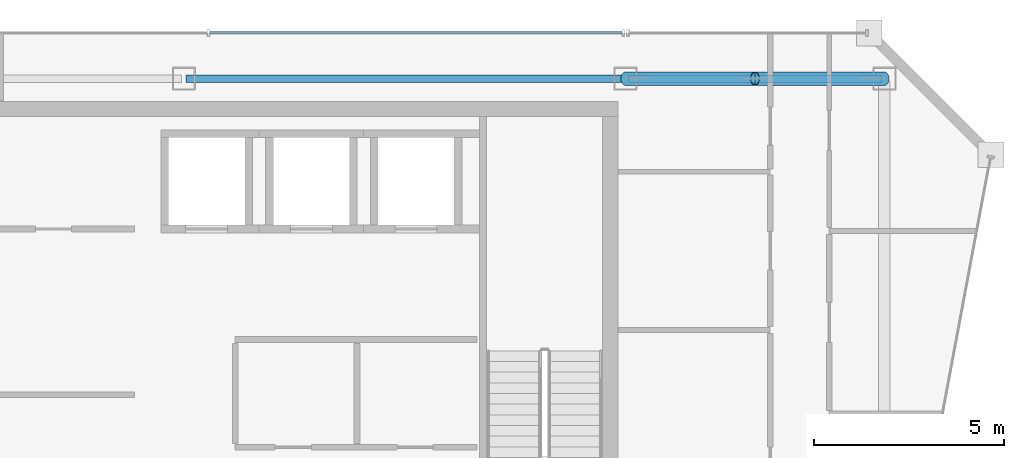
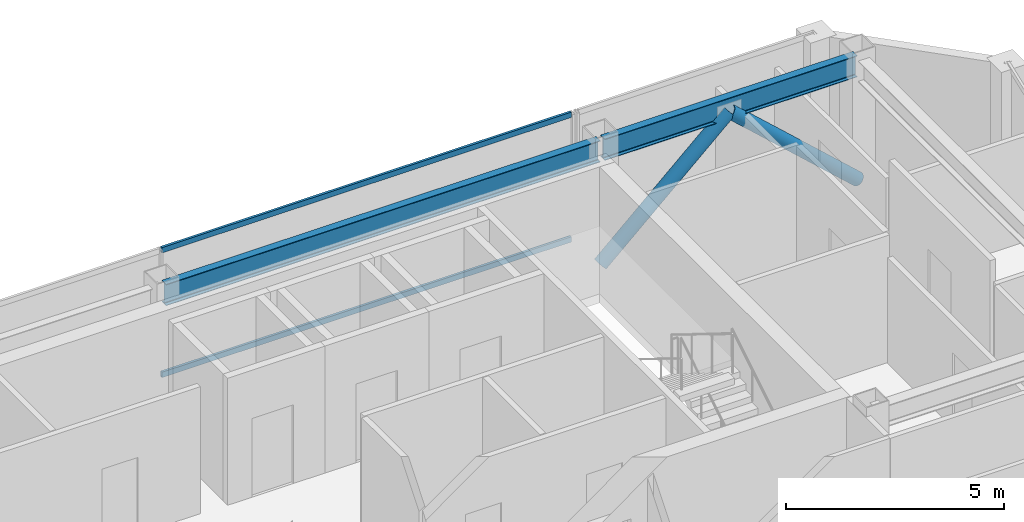
# One storey, part 16 of 23: 4 members, 2 beams, 1 element without a shape of its own.
"""IFC4 building model written with IfcOpenShell, lengths in metres."""

from ifc_helpers import new_model, si_unit, direction, frame, origin, origin_2d, place, context, subcontext, project, spatial, hollow_rectangle, hollow_circle, i_section, extrude, material, material_profile, profile_set, type_object, element, aggregate, save


model = new_model("IFC4")

# Units and contexts
model_context = context("Model", 3, precision=1e-05, world=origin(), true_north=direction((0.0, 1.0)))
body_context = subcontext(model_context, "Body", "Model", "MODEL_VIEW")
ifc_project = project(units=[si_unit("LENGTHUNIT", "METRE"), si_unit("AREAUNIT", "SQUARE_METRE"), si_unit("VOLUMEUNIT", "CUBIC_METRE"), si_unit("PLANEANGLEUNIT", "RADIAN"), si_unit("MASSUNIT", "GRAM", prefix="KILO")], contexts=[model_context])

# Site, building, storey
site_placement = place(None, origin())
site = spatial("IfcSite", under=ifc_project, at=site_placement, CompositionType="ELEMENT")
building_placement = place(site_placement, origin())
building = spatial("IfcBuilding", under=site, at=building_placement, Name="Saevonmaru Cultural Tower", CompositionType="ELEMENT")
storey_placement = place(building_placement, frame((0.0, 0.0, 291.39990234375)))
storey = spatial("IfcBuildingStorey", under=building, at=storey_placement, Name="L69", CompositionType="ELEMENT", Elevation=291.39990234375)

# Beams
ifc_material_1 = material(Name="Steel SM355", Category="steel")
ifc_material_profile_1 = material_profile(ifc_material_1, i_section(OverallWidth=0.199951171875, OverallDepth=0.60009765625, WebThickness=0.010986328125, FlangeThickness=0.01708984375, FilletRadius=0.02197265625, at=origin_2d()), Name="H-600x200x11x17")
ifc_profile_set_1 = profile_set([ifc_material_profile_1], Name="Steel SM355")
beam_type = type_object("IfcBeamType", Name="BM-SP-H600", PredefinedType="SPANDREL", material=ifc_profile_set_1)
beam_1_placement = place(storey_placement, frame((34.860107421875, 54.800048828125, 3.25), z_axis=(1.0, 0.0, 0.0), x_axis=(0.0, 1.0, 0.0)))
element("IfcBeam", 1, at=beam_1_placement, inside=storey, type_object=beam_type, Name="L69 North Spine Girder 4", PredefinedType="SPANDREL", context=body_context, shape_type="SweptSolid", body=[
    extrude(i_section(OverallWidth=0.199951171875, OverallDepth=0.60009765625, WebThickness=0.010986328125, FlangeThickness=0.01708984375, FilletRadius=0.02197265625, at=origin_2d()), origin(), (0.0, 0.0, 1.0), 11.47998046875),
])
beam_2_placement = place(storey_placement, frame((46.4599609375, 54.800048828125, 3.25), z_axis=(1.0, 0.0, 0.0), x_axis=(0.0, 1.0, 0.0)))
element("IfcBeam", 2, at=beam_2_placement, inside=storey, type_object=beam_type, Name="L69 North Spine Girder 5", PredefinedType="SPANDREL", context=body_context, shape_type="SweptSolid", body=[
    extrude(i_section(OverallWidth=0.199951171875, OverallDepth=0.60009765625, WebThickness=0.010986328125, FlangeThickness=0.01708984375, FilletRadius=0.02197265625, at=origin_2d()), origin(), (0.0, 0.0, 1.0), 6.679931640625),
])

# Members
ifc_material_profile_2 = material_profile(ifc_material_1, hollow_circle(Radius=0.177734375, WallThickness=0.01611328125, at=origin_2d()), Name="CHS-355.6x16")
ifc_profile_set_2 = profile_set([ifc_material_profile_2], Name="Steel SM355")
member_type_1 = type_object("IfcMemberType", Name="MB-PBR-CHS356", PredefinedType="BRACE", material=ifc_profile_set_2)
member_1_placement = place(storey_placement, frame((46.39990234375, 54.800048828125, 0.02001953125), z_axis=(0.738959728749, 0.0, 0.673749596873), x_axis=(0.0, 1.0, 0.0)))
element("IfcMember", 3, at=member_1_placement, inside=storey, type_object=member_type_1, Name="L69 Perimeter Braced-Tube Diagonal EN1", PredefinedType="BRACE", context=body_context, shape_type="SweptSolid", body=[
    extrude(hollow_circle(Radius=0.177734375, WallThickness=0.01611328125, at=origin_2d()), origin(), (0.0, 0.0, 1.0), 4.601318359375),
])
member_2_placement = place(storey_placement, frame((53.199951171875, 54.800048828125, 0.02001953125), z_axis=(-0.738935641579, 0.0, 0.673776014417), x_axis=(0.0, -1.0, 0.0)))
element("IfcMember", 4, at=member_2_placement, inside=storey, type_object=member_type_1, Name="L69 Perimeter Braced-Tube Diagonal EN2", PredefinedType="BRACE", context=body_context, shape_type="SweptSolid", body=[
    extrude(hollow_circle(Radius=0.177734375, WallThickness=0.01611328125, at=origin_2d()), origin(), (0.0, 0.0, 1.0), 4.60107421875),
])

# Curtain wall, members
ifc_material_2 = material(Name="Satin Bronze Anodised Aluminium", Category="aluminium")
curtain_wall_type = type_object("IfcCurtainWallType", Name="CW-TYP-B", PredefinedType="NOTDEFINED", material=ifc_material_2)
curtain_wall_placement = place(storey_placement, origin())
curtain_wall = element("IfcCurtainWall", 5, at=curtain_wall_placement, inside=storey, type_object=curtain_wall_type, Name="L69 North Spine Unitised Curtain Wall E10B", PredefinedType="NOTDEFINED")
ifc_material_profile_3 = material_profile(ifc_material_2, hollow_rectangle(XDim=0.06494140625, YDim=0.14990234375, WallThickness=0.00390625, at=origin_2d()), Name="ALU-TRAN-150x65x4")
ifc_profile_set_3 = profile_set([ifc_material_profile_3], Name="Satin Bronze Anodised Aluminium")
member_type_2 = type_object("IfcMemberType", Name="TR-CW-150x65", PredefinedType="USERDEFINED", material=ifc_profile_set_3)
member_3_placement = place(storey_placement, frame((46.3076171875, 56.0, 0.03271484375), z_axis=(-1.0, 0.0, 0.0), x_axis=(0.0, -1.0, 0.0)))
member_3 = element("IfcMember", 6, at=member_3_placement, type_object=member_type_2, Name="CW-TW-L69-E10B transom 1.1", ObjectType="TRANSOM", PredefinedType="USERDEFINED", context=body_context, shape_type="SweptSolid", body=[
    extrude(hollow_rectangle(XDim=0.06494140625, YDim=0.14990234375, WallThickness=0.00390625, at=origin_2d()), origin(), (0.0, 0.0, 1.0), 10.828369140625),
])
member_4_placement = place(storey_placement, frame((46.3076171875, 56.0, 3.517578125), z_axis=(-1.0, 0.0, 0.0), x_axis=(0.0, -1.0, 0.0)))
member_4 = element("IfcMember", 7, at=member_4_placement, type_object=member_type_2, Name="CW-TW-L69-E10B transom 1.2", ObjectType="TRANSOM", PredefinedType="USERDEFINED", context=body_context, shape_type="SweptSolid", body=[
    extrude(hollow_rectangle(XDim=0.06494140625, YDim=0.14990234375, WallThickness=0.00390625, at=origin_2d()), origin(), (0.0, 0.0, 1.0), 10.828369140625),
])
aggregate(curtain_wall, [member_3, member_4])

save(model, "model.ifc")
